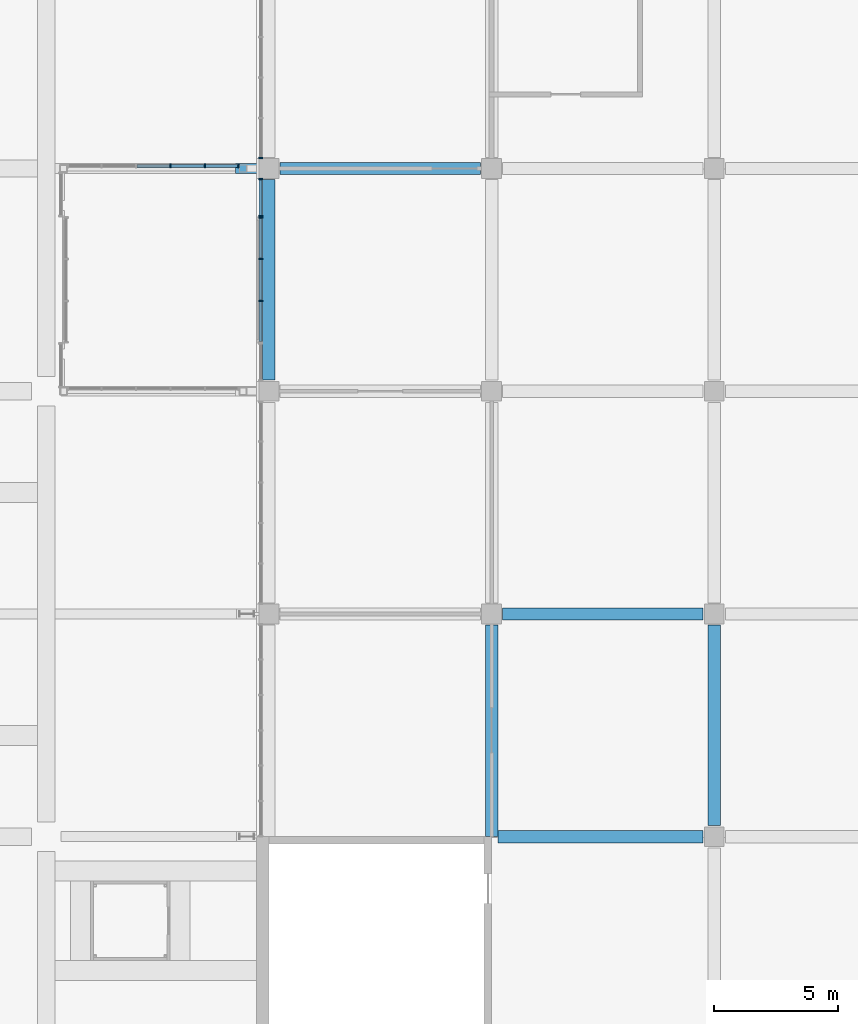
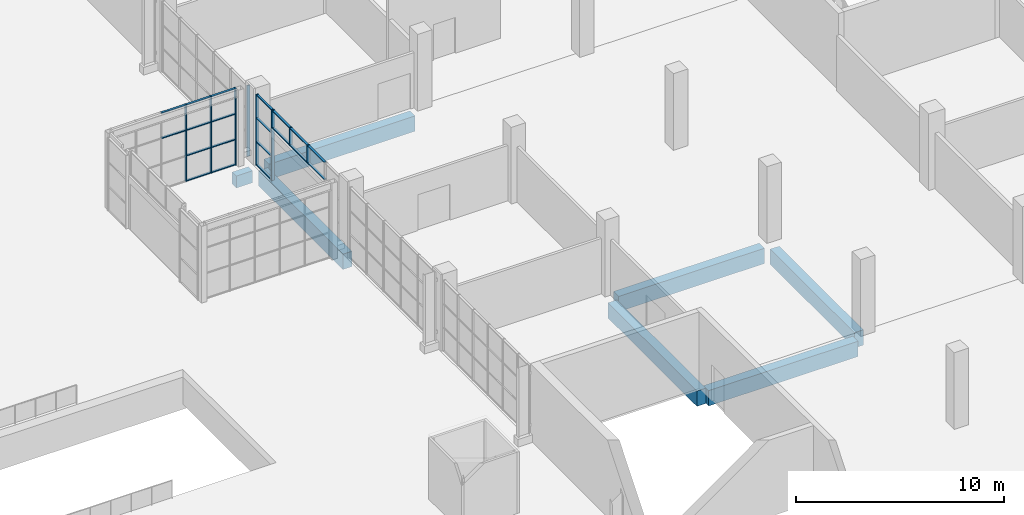
# One storey, part 25 of 168: 29 members, 7 beams, 4 elements without a shape of their own.
"""IFC4 building model written with IfcOpenShell, lengths in metres."""

from ifc_helpers import new_model, si_unit, direction, frame, origin, origin_2d, place, context, subcontext, project, spatial, rectangle, extrude, material, material_profile, profile_set, type_object, element, aggregate, save


model = new_model("IFC4")

# Units and contexts
model_context = context("Model", 3, precision=1e-05, world=origin(), true_north=direction((0.0, 1.0)))
body_context = subcontext(model_context, "Body", "Model", "MODEL_VIEW")
ifc_project = project(units=[si_unit("LENGTHUNIT", "METRE"), si_unit("AREAUNIT", "SQUARE_METRE"), si_unit("VOLUMEUNIT", "CUBIC_METRE"), si_unit("PLANEANGLEUNIT", "RADIAN"), si_unit("MASSUNIT", "GRAM", prefix="KILO")], contexts=[model_context])

# Site, building, storey
site_placement = place(None, origin())
site = spatial("IfcSite", under=ifc_project, at=site_placement, CompositionType="ELEMENT")
building_placement = place(site_placement, origin())
building = spatial("IfcBuilding", under=site, at=building_placement, Name="Silverbay Arena", CompositionType="ELEMENT")
storey_placement = place(building_placement, frame((0.0, 0.0, 7.0)))
storey = spatial("IfcBuildingStorey", under=building, at=storey_placement, Name="L01", CompositionType="ELEMENT", Elevation=7.0)

# Curtain wall, members
ifc_material_1 = material(Name="Aluminium framed curtain wall", Category="aluminium")
curtain_wall_type_1 = type_object("IfcCurtainWallType", Name="Curtain wall 1550 x 4150", PredefinedType="NOTDEFINED", material=ifc_material_1)
curtain_wall_1_placement = place(storey_placement, origin())
curtain_wall_1 = element("IfcCurtainWall", 1, at=curtain_wall_1_placement, inside=storey, type_object=curtain_wall_type_1, Name="West curtain wall L01 bay 5", PredefinedType="NOTDEFINED")
ifc_material_2 = material(Name="Aluminium", Category="aluminium")
ifc_material_profile_1 = material_profile(ifc_material_2, rectangle(XDim=0.159912109375, YDim=0.06005859375, at=origin_2d()), Name="Mullion 60 x 160")
ifc_profile_set_1 = profile_set([ifc_material_profile_1], Name="Aluminium")
member_type_1 = type_object("IfcMemberType", Name="Mullion 60 x 160", PredefinedType="MULLION", material=ifc_profile_set_1)
member_1_placement = place(storey_placement, frame((26.669921875, 62.570068359375, 0.0), z_axis=(0.0, 0.0, 1.0), x_axis=(1.0, 0.0, 0.0)))
member_1 = element("IfcMember", 2, at=member_1_placement, type_object=member_type_1, Name="CW8 mullion 1", PredefinedType="MULLION", context=body_context, shape_type="SweptSolid", body=[
    extrude(rectangle(XDim=0.159912109375, YDim=0.06005859375, at=origin_2d()), origin(), (0.0, 0.0, 1.0), 4.14990234375),
])
member_2_placement = place(storey_placement, frame((26.669921875, 61.080078125, 0.0), z_axis=(0.0, 0.0, 1.0), x_axis=(1.0, 0.0, 0.0)))
member_2 = element("IfcMember", 3, at=member_2_placement, type_object=member_type_1, Name="CW8 mullion 2", PredefinedType="MULLION", context=body_context, shape_type="SweptSolid", body=[
    extrude(rectangle(XDim=0.159912109375, YDim=0.06005859375, at=origin_2d()), origin(), (0.0, 0.0, 1.0), 4.14990234375),
])

ifc_material_3 = material(Name="Aluminium framed curtain wall", Category="aluminium")
curtain_wall_type_2 = type_object("IfcCurtainWallType", Name="Curtain wall 5100 x 1050", PredefinedType="NOTDEFINED", material=ifc_material_3)
curtain_wall_2_placement = place(storey_placement, origin())
curtain_wall_2 = element("IfcCurtainWall", 4, at=curtain_wall_2_placement, inside=storey, type_object=curtain_wall_type_2, Name="West curtain wall L01 bay 5", PredefinedType="NOTDEFINED")
member_3_placement = place(storey_placement, frame((26.669921875, 61.02001953125, 3.10009765625), z_axis=(0.0, 0.0, 1.0), x_axis=(1.0, 0.0, 0.0)))
member_3 = element("IfcMember", 5, at=member_3_placement, type_object=member_type_1, Name="CW9 mullion 1", PredefinedType="MULLION", context=body_context, shape_type="SweptSolid", body=[
    extrude(rectangle(XDim=0.159912109375, YDim=0.06005859375, at=origin_2d()), origin(), (0.0, 0.0, 1.0), 1.0498046875),
])
member_4_placement = place(storey_placement, frame((26.669921875, 59.35009765625, 3.10009765625), z_axis=(0.0, 0.0, 1.0), x_axis=(1.0, 0.0, 0.0)))
member_4 = element("IfcMember", 6, at=member_4_placement, type_object=member_type_1, Name="CW9 mullion 2", PredefinedType="MULLION", context=body_context, shape_type="SweptSolid", body=[
    extrude(rectangle(XDim=0.159912109375, YDim=0.06005859375, at=origin_2d()), origin(), (0.0, 0.0, 1.0), 1.0498046875),
])
member_5_placement = place(storey_placement, frame((26.669921875, 57.64990234375, 3.10009765625), z_axis=(0.0, 0.0, 1.0), x_axis=(1.0, 0.0, 0.0)))
member_5 = element("IfcMember", 7, at=member_5_placement, type_object=member_type_1, Name="CW9 mullion 3", PredefinedType="MULLION", context=body_context, shape_type="SweptSolid", body=[
    extrude(rectangle(XDim=0.159912109375, YDim=0.06005859375, at=origin_2d()), origin(), (0.0, 0.0, 1.0), 1.0498046875),
])

# Curtain wall, member
ifc_material_4 = material(Name="Aluminium framed curtain wall", Category="aluminium")
curtain_wall_type_3 = type_object("IfcCurtainWallType", Name="Curtain wall 8200 x 4150", PredefinedType="NOTDEFINED", material=ifc_material_4)
curtain_wall_3_placement = place(storey_placement, origin())
curtain_wall_3 = element("IfcCurtainWall", 8, at=curtain_wall_3_placement, inside=storey, type_object=curtain_wall_type_3, Name="West curtain wall L01 bay 6", PredefinedType="NOTDEFINED")
member_6_placement = place(storey_placement, frame((26.669921875, 63.429931640625, 0.0), z_axis=(0.0, 0.0, 1.0), x_axis=(1.0, 0.0, 0.0)))
member_6 = element("IfcMember", 9, at=member_6_placement, type_object=member_type_1, Name="CW7 mullion 6", PredefinedType="MULLION", context=body_context, shape_type="SweptSolid", body=[
    extrude(rectangle(XDim=0.159912109375, YDim=0.06005859375, at=origin_2d()), origin(), (0.0, 0.0, 1.0), 4.14990234375),
])
aggregate(curtain_wall_3, [member_6])

# Curtain wall, members
ifc_material_5 = material(Name="Aluminium framed curtain wall", Category="aluminium")
curtain_wall_type_4 = type_object("IfcCurtainWallType", Name="Curtain wall 6950 x 4500", PredefinedType="NOTDEFINED", material=ifc_material_5)
curtain_wall_4_placement = place(storey_placement, origin())
curtain_wall_4 = element("IfcCurtainWall", 10, at=curtain_wall_4_placement, inside=storey, type_object=curtain_wall_type_4, Name="West entrance hall W0 glazing SB", PredefinedType="NOTDEFINED")
member_7_placement = place(storey_placement, frame((23.02001953125, 63.110107421875, 0.0), z_axis=(0.0, 0.0, 1.0), x_axis=(0.0, 1.0, 0.0)))
member_7 = element("IfcMember", 11, at=member_7_placement, type_object=member_type_1, Name="CW51 mullion 4", PredefinedType="MULLION", context=body_context, shape_type="SweptSolid", body=[
    extrude(rectangle(XDim=0.159912109375, YDim=0.06005859375, at=origin_2d()), origin(), (0.0, 0.0, 1.0), 4.5),
])
member_8_placement = place(storey_placement, frame((24.409912109375, 63.110107421875, 0.0), z_axis=(0.0, 0.0, 1.0), x_axis=(0.0, 1.0, 0.0)))
member_8 = element("IfcMember", 12, at=member_8_placement, type_object=member_type_1, Name="CW51 mullion 5", PredefinedType="MULLION", context=body_context, shape_type="SweptSolid", body=[
    extrude(rectangle(XDim=0.159912109375, YDim=0.06005859375, at=origin_2d()), origin(), (0.0, 0.0, 1.0), 4.5),
])
member_9_placement = place(storey_placement, frame((25.77001953125, 63.110107421875, 0.0), z_axis=(0.0, 0.0, 1.0), x_axis=(0.0, 1.0, 0.0)))
member_9 = element("IfcMember", 13, at=member_9_placement, type_object=member_type_1, Name="CW51 mullion 6", PredefinedType="MULLION", context=body_context, shape_type="SweptSolid", body=[
    extrude(rectangle(XDim=0.159912109375, YDim=0.06005859375, at=origin_2d()), origin(), (0.0, 0.0, 1.0), 4.5),
])

# Beams
ifc_material_6 = material(Name="Concrete Grade C45", Category="concrete")
ifc_material_profile_2 = material_profile(ifc_material_6, rectangle(XDim=0.39990234375, YDim=0.699951171875, at=origin_2d()), Name="RC 400x700")
ifc_profile_set_2 = profile_set([ifc_material_profile_2], Name="Concrete Grade C45")
beam_type_1 = type_object("IfcBeamType", Name="RC beam 400x700", PredefinedType="BEAM", material=ifc_profile_set_2)
beam_1_placement = place(storey_placement, frame((25.64990234375, 63.0, -0.800048828125), z_axis=(1.0, 0.0, 0.0), x_axis=(0.0, 1.0, 0.0)))
element("IfcBeam", 14, at=beam_1_placement, inside=storey, type_object=beam_type_1, Name="Deck row beam 078 B", PredefinedType="BEAM", context=body_context, shape_type="SweptSolid", body=[
    extrude(rectangle(XDim=0.39990234375, YDim=0.699951171875, at=origin_2d()), origin(), (0.0, 0.0, 1.0), 0.900146484375),
])
ifc_material_7 = material(Name="Concrete Grade C45", Category="concrete")
ifc_material_profile_3 = material_profile(ifc_material_7, rectangle(XDim=0.5, YDim=0.89990234375, at=origin_2d()), Name="RC 500x900")
ifc_profile_set_3 = profile_set([ifc_material_profile_3], Name="Concrete Grade C45")
beam_type_2 = type_object("IfcBeamType", Name="RC beam 500x900", PredefinedType="BEAM", material=ifc_profile_set_3)
beam_2_placement = place(storey_placement, frame((36.25, 36.0, -0.800048828125), z_axis=(1.0, 0.0, 0.0), x_axis=(0.0, 1.0, 0.0)))
element("IfcBeam", 15, at=beam_2_placement, inside=storey, type_object=beam_type_2, Name="Floor beam L01 019", PredefinedType="BEAM", context=body_context, shape_type="SweptSolid", body=[
    extrude(rectangle(XDim=0.5, YDim=0.89990234375, at=origin_2d()), origin(), (0.0, 0.0, 1.0), 8.300048828125),
])
for number, where, z_axis, x_axis, name in (
    (16, (36.449951171875, 45.0, -0.800048828125), (1.0, 0.0, 0.0), (0.0, 1.0, 0.0), "Floor beam L01 028"),
    (17, (27.449951171875, 63.0, -0.800048828125), (1.0, 0.0, 0.0), (0.0, 1.0, 0.0), "Floor beam L01 062"),
    (18, (27.0, 54.449951171875, -0.800048828125), (0.0, 1.0, 0.0), (-1.0, 0.0, 0.0), "Floor beam L01 183"),
):
    element("IfcBeam", number, at=place(storey_placement, frame(where, z_axis=z_axis, x_axis=x_axis)), inside=storey, type_object=beam_type_2, Name=name, PredefinedType="BEAM", context=body_context, shape_type="SweptSolid", body=[
        extrude(rectangle(XDim=0.5, YDim=0.89990234375, at=origin_2d()), origin(), (0.0, 0.0, 1.0), 8.10009765625),
    ])
beam_3_placement = place(storey_placement, frame((36.0, 36.0, -0.800048828125), z_axis=(0.0, 1.0, 0.0), x_axis=(-1.0, 0.0, 0.0)))
element("IfcBeam", 19, at=beam_3_placement, inside=storey, type_object=beam_type_2, Name="Floor beam L01 191", PredefinedType="BEAM", context=body_context, shape_type="SweptSolid", body=[
    extrude(rectangle(XDim=0.5, YDim=0.89990234375, at=origin_2d()), origin(), (0.0, 0.0, 1.0), 8.550048828125),
])
beam_4_placement = place(storey_placement, frame((45.0, 36.449951171875, -0.800048828125), z_axis=(0.0, 1.0, 0.0), x_axis=(-1.0, 0.0, 0.0)))
element("IfcBeam", 20, at=beam_4_placement, inside=storey, type_object=beam_type_2, Name="Floor beam L01 203", PredefinedType="BEAM", context=body_context, shape_type="SweptSolid", body=[
    extrude(rectangle(XDim=0.5, YDim=0.89990234375, at=origin_2d()), origin(), (0.0, 0.0, 1.0), 8.10009765625),
])

# Member
ifc_material_8 = material(Name="Aluminium", Category="aluminium")
ifc_material_profile_4 = material_profile(ifc_material_8, rectangle(XDim=0.1201171875, YDim=0.050048828125, at=origin_2d()), Name="Transom 50 x 120")
ifc_profile_set_4 = profile_set([ifc_material_profile_4], Name="Aluminium")
member_type_2 = type_object("IfcMemberType", Name="Transom 50 x 120", PredefinedType="USERDEFINED", material=ifc_profile_set_4)
member_10_placement = place(storey_placement, frame((26.669921875, 62.5400390625, 0.02490234375), z_axis=(0.0, -1.0, 0.0), x_axis=(1.0, 0.0, 0.0)))
member_10 = element("IfcMember", 21, at=member_10_placement, type_object=member_type_2, Name="CW8 transom 1.1", ObjectType="TRANSOM", PredefinedType="USERDEFINED", context=body_context, shape_type="SweptSolid", body=[
    extrude(rectangle(XDim=0.1201171875, YDim=0.050048828125, at=origin_2d()), origin(), (0.0, 0.0, 1.0), 1.429931640625),
])

member_11_placement = place(storey_placement, frame((26.669921875, 62.5400390625, 1.38330078125), z_axis=(0.0, -1.0, 0.0), x_axis=(1.0, 0.0, 0.0)))
member_11 = element("IfcMember", 22, at=member_11_placement, type_object=member_type_2, Name="CW8 transom 1.2", ObjectType="TRANSOM", PredefinedType="USERDEFINED", context=body_context, shape_type="SweptSolid", body=[
    extrude(rectangle(XDim=0.1201171875, YDim=0.050048828125, at=origin_2d()), origin(), (0.0, 0.0, 1.0), 1.429931640625),
])

member_12_placement = place(storey_placement, frame((26.669921875, 62.5400390625, 2.7666015625), z_axis=(0.0, -1.0, 0.0), x_axis=(1.0, 0.0, 0.0)))
member_12 = element("IfcMember", 23, at=member_12_placement, type_object=member_type_2, Name="CW8 transom 1.3", ObjectType="TRANSOM", PredefinedType="USERDEFINED", context=body_context, shape_type="SweptSolid", body=[
    extrude(rectangle(XDim=0.1201171875, YDim=0.050048828125, at=origin_2d()), origin(), (0.0, 0.0, 1.0), 1.429931640625),
])

member_13_placement = place(storey_placement, frame((26.669921875, 62.5400390625, 4.125), z_axis=(0.0, -1.0, 0.0), x_axis=(1.0, 0.0, 0.0)))
member_13 = element("IfcMember", 24, at=member_13_placement, type_object=member_type_2, Name="CW8 transom 1.4", ObjectType="TRANSOM", PredefinedType="USERDEFINED", context=body_context, shape_type="SweptSolid", body=[
    extrude(rectangle(XDim=0.1201171875, YDim=0.050048828125, at=origin_2d()), origin(), (0.0, 0.0, 1.0), 1.429931640625),
])

aggregate(curtain_wall_1, [member_1, member_2, member_10, member_11, member_12, member_13])

member_14_placement = place(storey_placement, frame((26.669921875, 60.989990234375, 3.125), z_axis=(0.0, -1.0, 0.0), x_axis=(1.0, 0.0, 0.0)))
member_14 = element("IfcMember", 25, at=member_14_placement, type_object=member_type_2, Name="CW9 transom 1.1", ObjectType="TRANSOM", PredefinedType="USERDEFINED", context=body_context, shape_type="SweptSolid", body=[
    extrude(rectangle(XDim=0.1201171875, YDim=0.050048828125, at=origin_2d()), origin(), (0.0, 0.0, 1.0), 1.610107421875),
])

member_15_placement = place(storey_placement, frame((26.669921875, 60.989990234375, 4.125), z_axis=(0.0, -1.0, 0.0), x_axis=(1.0, 0.0, 0.0)))
member_15 = element("IfcMember", 26, at=member_15_placement, type_object=member_type_2, Name="CW9 transom 1.2", ObjectType="TRANSOM", PredefinedType="USERDEFINED", context=body_context, shape_type="SweptSolid", body=[
    extrude(rectangle(XDim=0.1201171875, YDim=0.050048828125, at=origin_2d()), origin(), (0.0, 0.0, 1.0), 1.610107421875),
])

member_16_placement = place(storey_placement, frame((26.669921875, 59.320068359375, 3.125), z_axis=(0.0, -1.0, 0.0), x_axis=(1.0, 0.0, 0.0)))
member_16 = element("IfcMember", 27, at=member_16_placement, type_object=member_type_2, Name="CW9 transom 2.1", ObjectType="TRANSOM", PredefinedType="USERDEFINED", context=body_context, shape_type="SweptSolid", body=[
    extrude(rectangle(XDim=0.1201171875, YDim=0.050048828125, at=origin_2d()), origin(), (0.0, 0.0, 1.0), 1.64013671875),
])

member_17_placement = place(storey_placement, frame((26.669921875, 59.320068359375, 4.125), z_axis=(0.0, -1.0, 0.0), x_axis=(1.0, 0.0, 0.0)))
member_17 = element("IfcMember", 28, at=member_17_placement, type_object=member_type_2, Name="CW9 transom 2.2", ObjectType="TRANSOM", PredefinedType="USERDEFINED", context=body_context, shape_type="SweptSolid", body=[
    extrude(rectangle(XDim=0.1201171875, YDim=0.050048828125, at=origin_2d()), origin(), (0.0, 0.0, 1.0), 1.64013671875),
])

member_18_placement = place(storey_placement, frame((26.669921875, 57.6201171875, 3.125), z_axis=(0.0, -1.0, 0.0), x_axis=(1.0, 0.0, 0.0)))
member_18 = element("IfcMember", 29, at=member_18_placement, type_object=member_type_2, Name="CW9 transom 3.1", ObjectType="TRANSOM", PredefinedType="USERDEFINED", context=body_context, shape_type="SweptSolid", body=[
    extrude(rectangle(XDim=0.1201171875, YDim=0.050048828125, at=origin_2d()), origin(), (0.0, 0.0, 1.0), 1.610107421875),
])

member_19_placement = place(storey_placement, frame((26.669921875, 57.6201171875, 4.125), z_axis=(0.0, -1.0, 0.0), x_axis=(1.0, 0.0, 0.0)))
member_19 = element("IfcMember", 30, at=member_19_placement, type_object=member_type_2, Name="CW9 transom 3.2", ObjectType="TRANSOM", PredefinedType="USERDEFINED", context=body_context, shape_type="SweptSolid", body=[
    extrude(rectangle(XDim=0.1201171875, YDim=0.050048828125, at=origin_2d()), origin(), (0.0, 0.0, 1.0), 1.610107421875),
])

aggregate(curtain_wall_2, [member_3, member_4, member_5, member_14, member_15, member_16, member_17, member_18, member_19])

member_20_placement = place(storey_placement, frame((21.659912109375, 63.110107421875, 3.0), z_axis=(1.0, 0.0, 0.0), x_axis=(0.0, 1.0, 0.0)))
member_20 = element("IfcMember", 31, at=member_20_placement, type_object=member_type_2, Name="CW51 transom 3.3", ObjectType="TRANSOM", PredefinedType="USERDEFINED", context=body_context, shape_type="SweptSolid", body=[
    extrude(rectangle(XDim=0.1201171875, YDim=0.050048828125, at=origin_2d()), origin(), (0.0, 0.0, 1.0), 1.330078125),
])

member_21_placement = place(storey_placement, frame((21.659912109375, 63.110107421875, 4.47509765625), z_axis=(1.0, 0.0, 0.0), x_axis=(0.0, 1.0, 0.0)))
member_21 = element("IfcMember", 32, at=member_21_placement, type_object=member_type_2, Name="CW51 transom 3.4", ObjectType="TRANSOM", PredefinedType="USERDEFINED", context=body_context, shape_type="SweptSolid", body=[
    extrude(rectangle(XDim=0.1201171875, YDim=0.050048828125, at=origin_2d()), origin(), (0.0, 0.0, 1.0), 1.330078125),
])

member_22_placement = place(storey_placement, frame((23.050048828125, 63.110107421875, 0.02490234375), z_axis=(1.0, 0.0, 0.0), x_axis=(0.0, 1.0, 0.0)))
member_22 = element("IfcMember", 33, at=member_22_placement, type_object=member_type_2, Name="CW51 transom 4.1", ObjectType="TRANSOM", PredefinedType="USERDEFINED", context=body_context, shape_type="SweptSolid", body=[
    extrude(rectangle(XDim=0.1201171875, YDim=0.050048828125, at=origin_2d()), origin(), (0.0, 0.0, 1.0), 1.329833984375),
])

member_23_placement = place(storey_placement, frame((23.050048828125, 63.110107421875, 1.5), z_axis=(1.0, 0.0, 0.0), x_axis=(0.0, 1.0, 0.0)))
member_23 = element("IfcMember", 34, at=member_23_placement, type_object=member_type_2, Name="CW51 transom 4.2", ObjectType="TRANSOM", PredefinedType="USERDEFINED", context=body_context, shape_type="SweptSolid", body=[
    extrude(rectangle(XDim=0.1201171875, YDim=0.050048828125, at=origin_2d()), origin(), (0.0, 0.0, 1.0), 1.329833984375),
])

member_24_placement = place(storey_placement, frame((23.050048828125, 63.110107421875, 3.0), z_axis=(1.0, 0.0, 0.0), x_axis=(0.0, 1.0, 0.0)))
member_24 = element("IfcMember", 35, at=member_24_placement, type_object=member_type_2, Name="CW51 transom 4.3", ObjectType="TRANSOM", PredefinedType="USERDEFINED", context=body_context, shape_type="SweptSolid", body=[
    extrude(rectangle(XDim=0.1201171875, YDim=0.050048828125, at=origin_2d()), origin(), (0.0, 0.0, 1.0), 1.329833984375),
])

member_25_placement = place(storey_placement, frame((23.050048828125, 63.110107421875, 4.47509765625), z_axis=(1.0, 0.0, 0.0), x_axis=(0.0, 1.0, 0.0)))
member_25 = element("IfcMember", 36, at=member_25_placement, type_object=member_type_2, Name="CW51 transom 4.4", ObjectType="TRANSOM", PredefinedType="USERDEFINED", context=body_context, shape_type="SweptSolid", body=[
    extrude(rectangle(XDim=0.1201171875, YDim=0.050048828125, at=origin_2d()), origin(), (0.0, 0.0, 1.0), 1.329833984375),
])

member_26_placement = place(storey_placement, frame((24.43994140625, 63.110107421875, 0.02490234375), z_axis=(1.0, 0.0, 0.0), x_axis=(0.0, 1.0, 0.0)))
member_26 = element("IfcMember", 37, at=member_26_placement, type_object=member_type_2, Name="CW51 transom 5.1", ObjectType="TRANSOM", PredefinedType="USERDEFINED", context=body_context, shape_type="SweptSolid", body=[
    extrude(rectangle(XDim=0.1201171875, YDim=0.050048828125, at=origin_2d()), origin(), (0.0, 0.0, 1.0), 1.300048828125),
])

member_27_placement = place(storey_placement, frame((24.43994140625, 63.110107421875, 1.5), z_axis=(1.0, 0.0, 0.0), x_axis=(0.0, 1.0, 0.0)))
member_27 = element("IfcMember", 38, at=member_27_placement, type_object=member_type_2, Name="CW51 transom 5.2", ObjectType="TRANSOM", PredefinedType="USERDEFINED", context=body_context, shape_type="SweptSolid", body=[
    extrude(rectangle(XDim=0.1201171875, YDim=0.050048828125, at=origin_2d()), origin(), (0.0, 0.0, 1.0), 1.300048828125),
])

member_28_placement = place(storey_placement, frame((24.43994140625, 63.110107421875, 3.0), z_axis=(1.0, 0.0, 0.0), x_axis=(0.0, 1.0, 0.0)))
member_28 = element("IfcMember", 39, at=member_28_placement, type_object=member_type_2, Name="CW51 transom 5.3", ObjectType="TRANSOM", PredefinedType="USERDEFINED", context=body_context, shape_type="SweptSolid", body=[
    extrude(rectangle(XDim=0.1201171875, YDim=0.050048828125, at=origin_2d()), origin(), (0.0, 0.0, 1.0), 1.300048828125),
])

member_29_placement = place(storey_placement, frame((24.43994140625, 63.110107421875, 4.47509765625), z_axis=(1.0, 0.0, 0.0), x_axis=(0.0, 1.0, 0.0)))
member_29 = element("IfcMember", 40, at=member_29_placement, type_object=member_type_2, Name="CW51 transom 5.4", ObjectType="TRANSOM", PredefinedType="USERDEFINED", context=body_context, shape_type="SweptSolid", body=[
    extrude(rectangle(XDim=0.1201171875, YDim=0.050048828125, at=origin_2d()), origin(), (0.0, 0.0, 1.0), 1.300048828125),
])

aggregate(curtain_wall_4, [member_7, member_8, member_9, member_20, member_21, member_22, member_23, member_24, member_25, member_26, member_27, member_28, member_29])

save(model, "model.ifc")
